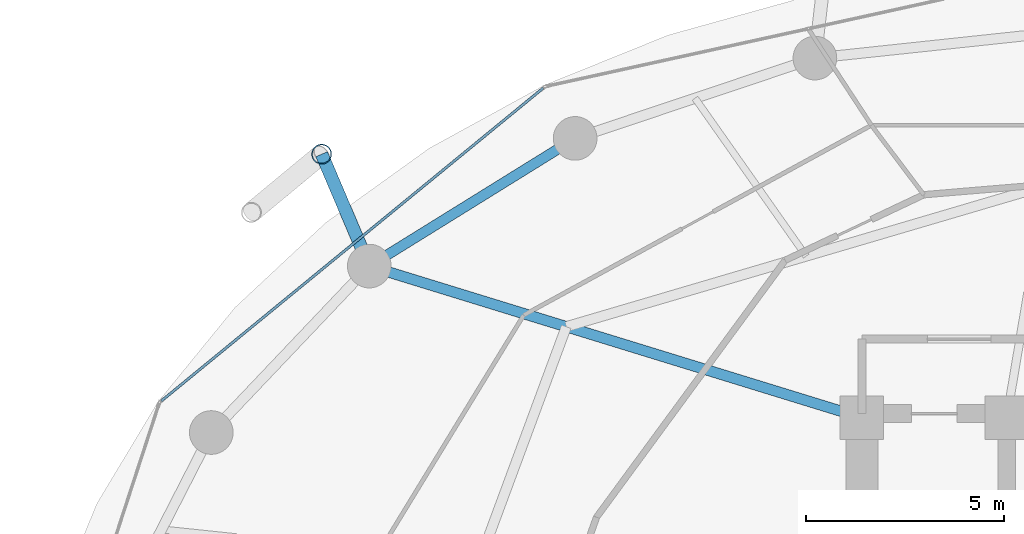
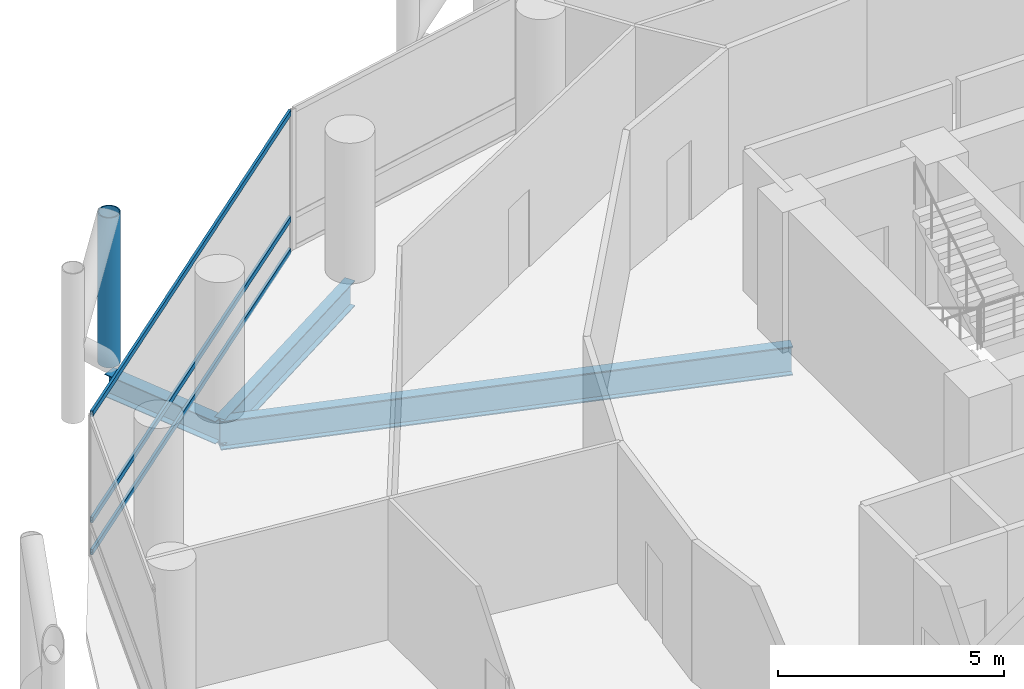
# One storey, part 14 of 25: 4 members, 3 beams, 1 element without a shape of its own.
"""IFC4 building model written with IfcOpenShell, lengths in metres."""

from ifc_helpers import new_model, si_unit, direction, frame, origin, origin_2d, place, context, subcontext, project, spatial, hollow_rectangle, hollow_circle, i_section, extrude, material, layer, layer_set, material_profile, profile_set, type_object, element, aggregate, save


model = new_model("IFC4")

# Units and contexts
model_context = context("Model", 3, precision=1e-05, world=origin(), true_north=direction((0.0, 1.0)))
body_context = subcontext(model_context, "Body", "Model", "MODEL_VIEW")
ifc_project = project(units=[si_unit("LENGTHUNIT", "METRE"), si_unit("AREAUNIT", "SQUARE_METRE"), si_unit("VOLUMEUNIT", "CUBIC_METRE"), si_unit("PLANEANGLEUNIT", "RADIAN"), si_unit("MASSUNIT", "GRAM", prefix="KILO")], contexts=[model_context])

# Site, building, storey
site_placement = place(None, origin())
site = spatial("IfcSite", under=ifc_project, at=site_placement, CompositionType="ELEMENT")
building_placement = place(site_placement, origin())
building = spatial("IfcBuilding", under=site, at=building_placement, Name="Nuhasar Tower", CompositionType="ELEMENT")
storey_placement = place(building_placement, frame((0.0, 0.0, 61.5)))
storey = spatial("IfcBuildingStorey", under=building, at=storey_placement, Name="L14", CompositionType="ELEMENT", Elevation=61.5)

# Beams
ifc_material_1 = material(Name="Steel S355", Category="steel")
ifc_material_profile_1 = material_profile(ifc_material_1, i_section(OverallWidth=0.26611328125, OverallDepth=0.779052734375, WebThickness=0.0166015625, FlangeThickness=0.030029296875, at=origin_2d()), Name="W30X148")
ifc_profile_set_1 = profile_set([ifc_material_profile_1], Name="Steel S355")
beam_type_1 = type_object("IfcBeamType", Name="BM-RAD-W30X148", PredefinedType="BEAM", material=ifc_profile_set_1)
beam_1_placement = place(storey_placement, frame((33.699951171875, 37.300048828125, -0.638916015625), z_axis=(-0.955789576103, 0.294051502653, 0.0), x_axis=(-0.294051502653, -0.955789576103, 0.0)))
element("IfcBeam", 1, at=beam_1_placement, inside=storey, type_object=beam_type_1, Name="L14 Radial Floor Girder 07", PredefinedType="BEAM", context=body_context, shape_type="SweptSolid", body=[
    extrude(i_section(OverallWidth=0.26611328125, OverallDepth=0.779052734375, WebThickness=0.0166015625, FlangeThickness=0.030029296875, at=origin_2d()), origin(), (0.0, 0.0, 1.0), 12.987060546875),
])
ifc_material_profile_2 = material_profile(ifc_material_1, i_section(OverallWidth=0.256103515625, OverallDepth=0.693115234375, WebThickness=0.014404296875, FlangeThickness=0.023681640625, at=origin_2d()), Name="W27X114")
ifc_profile_set_2 = profile_set([ifc_material_profile_2], Name="Steel S355")
beam_type_2 = type_object("IfcBeamType", Name="BM-RING-W27X114", PredefinedType="SPANDREL", material=ifc_profile_set_2)
beam_2_placement = place(storey_placement, frame((26.47509765625, 44.3369140625, -0.595947265625), z_axis=(-0.849795216549, -0.527112976439, 0.0), x_axis=(0.527112976439, -0.849795216549, 0.0)))
element("IfcBeam", 2, at=beam_2_placement, inside=storey, type_object=beam_type_2, Name="L14 Perimeter Ring Spandrel 09", PredefinedType="SPANDREL", context=body_context, shape_type="SweptSolid", body=[
    extrude(i_section(OverallWidth=0.256103515625, OverallDepth=0.693115234375, WebThickness=0.014404296875, FlangeThickness=0.023681640625, at=origin_2d()), origin(), (0.0, 0.0, 1.0), 6.10498046875),
])
ifc_material_profile_3 = material_profile(ifc_material_1, i_section(OverallWidth=0.323974609375, OverallDepth=0.611083984375, WebThickness=0.0126953125, FlangeThickness=0.01904296875, at=origin_2d()), Name="W24X104")
ifc_profile_set_3 = profile_set([ifc_material_profile_3], Name="Steel S355")
beam_type_3 = type_object("IfcBeamType", Name="BM-TIE-W24X104", PredefinedType="BEAM", material=ifc_profile_set_3)
beam_3_placement = place(storey_placement, frame((21.287109375, 41.118896484375, -0.555908203125), z_axis=(-0.391601084021, 0.920135093882, 0.0), x_axis=(-0.920135093882, -0.391601084021, 0.0)))
element("IfcBeam", 3, at=beam_3_placement, inside=storey, type_object=beam_type_3, Name="L14 Exoskeleton Node Tie Beam 05", PredefinedType="BEAM", context=body_context, shape_type="SweptSolid", body=[
    extrude(i_section(OverallWidth=0.323974609375, OverallDepth=0.611083984375, WebThickness=0.0126953125, FlangeThickness=0.01904296875, at=origin_2d()), origin(), (0.0, 0.0, 1.0), 3.06494140625),
])

# Curtain wall, members
ifc_material_2 = material(Name="Aluminium 6063-T6", Category="aluminium")
ifc_layer = layer(ifc_material_2, 0.199951171875)
ifc_layer_set = layer_set([ifc_layer], Name="Aluminium 6063-T6")
curtain_wall_type = type_object("IfcCurtainWallType", Name="CW-Z1-OFF", PredefinedType="NOTDEFINED", material=ifc_layer_set)
curtain_wall_placement = place(storey_placement, origin())
curtain_wall = element("IfcCurtainWall", 4, at=curtain_wall_placement, inside=storey, type_object=curtain_wall_type, Name="L14 Unitised Curtain Wall 05", PredefinedType="NOTDEFINED")
ifc_material_profile_4 = material_profile(ifc_material_2, hollow_rectangle(XDim=0.06494140625, YDim=0.14990234375, WallThickness=0.00439453125, at=origin_2d()), Name="CWT-2")
ifc_profile_set_4 = profile_set([ifc_material_profile_4], Name="Aluminium 6063-T6")
member_type_1 = type_object("IfcMemberType", Name="CW-TRN-S2", PredefinedType="USERDEFINED", material=ifc_profile_set_4)
member_1_placement = place(storey_placement, frame((25.669677734375, 45.603759765625, 0.032470703125), z_axis=(-0.773540851599, -0.633746440548, 0.0), x_axis=(0.633746440548, -0.773540851599, 0.0)))
member_1 = element("IfcMember", 5, at=member_1_placement, type_object=member_type_1, Name="CW-Z1 transom 1.1", ObjectType="TRANSOM", PredefinedType="USERDEFINED", context=body_context, shape_type="SweptSolid", body=[
    extrude(hollow_rectangle(XDim=0.06494140625, YDim=0.14990234375, WallThickness=0.00439453125, at=origin_2d()), origin(), (0.0, 0.0, 1.0), 12.43798828125),
])
member_2_placement = place(storey_placement, frame((25.669677734375, 45.603759765625, 0.89990234375), z_axis=(-0.773540851599, -0.633746440548, 0.0), x_axis=(0.633746440548, -0.773540851599, 0.0)))
member_2 = element("IfcMember", 6, at=member_2_placement, type_object=member_type_1, Name="CW-Z1 transom 1.2", ObjectType="TRANSOM", PredefinedType="USERDEFINED", context=body_context, shape_type="SweptSolid", body=[
    extrude(hollow_rectangle(XDim=0.06494140625, YDim=0.14990234375, WallThickness=0.00439453125, at=origin_2d()), origin(), (0.0, 0.0, 1.0), 12.43798828125),
])
member_3_placement = place(storey_placement, frame((25.669677734375, 45.603759765625, 3.767578125), z_axis=(-0.773540851599, -0.633746440548, 0.0), x_axis=(0.633746440548, -0.773540851599, 0.0)))
member_3 = element("IfcMember", 7, at=member_3_placement, type_object=member_type_1, Name="CW-Z1 transom 1.3", ObjectType="TRANSOM", PredefinedType="USERDEFINED", context=body_context, shape_type="SweptSolid", body=[
    extrude(hollow_rectangle(XDim=0.06494140625, YDim=0.14990234375, WallThickness=0.00439453125, at=origin_2d()), origin(), (0.0, 0.0, 1.0), 12.43798828125),
])
aggregate(curtain_wall, [member_1, member_2, member_3])

# Member
ifc_material_3 = material(Name="Steel S460", Category="steel")
ifc_material_profile_5 = material_profile(ifc_material_3, hollow_circle(Radius=0.25390625, WallThickness=0.025390625, at=origin_2d()), Name="HSS508X25.4")
ifc_profile_set_5 = profile_set([ifc_material_profile_5], Name="Steel S460")
member_type_2 = type_object("IfcMemberType", Name="EXO-BRONZE-508", PredefinedType="BRACE", material=ifc_profile_set_5)
member_4_placement = place(storey_placement, frame((20.0869140625, 43.93896484375, 0.0), z_axis=(0.0, 0.0, 1.0), x_axis=(1.0, 0.0, 0.0)))
element("IfcMember", 8, at=member_4_placement, inside=storey, type_object=member_type_2, Name="L14 Exoskeleton Chord Column EC-05A", PredefinedType="BRACE", context=body_context, shape_type="SweptSolid", body=[
    extrude(hollow_circle(Radius=0.25390625, WallThickness=0.025390625, at=origin_2d()), origin(), (0.0, 0.0, 1.0), 4.050048828125),
])

save(model, "model.ifc")
